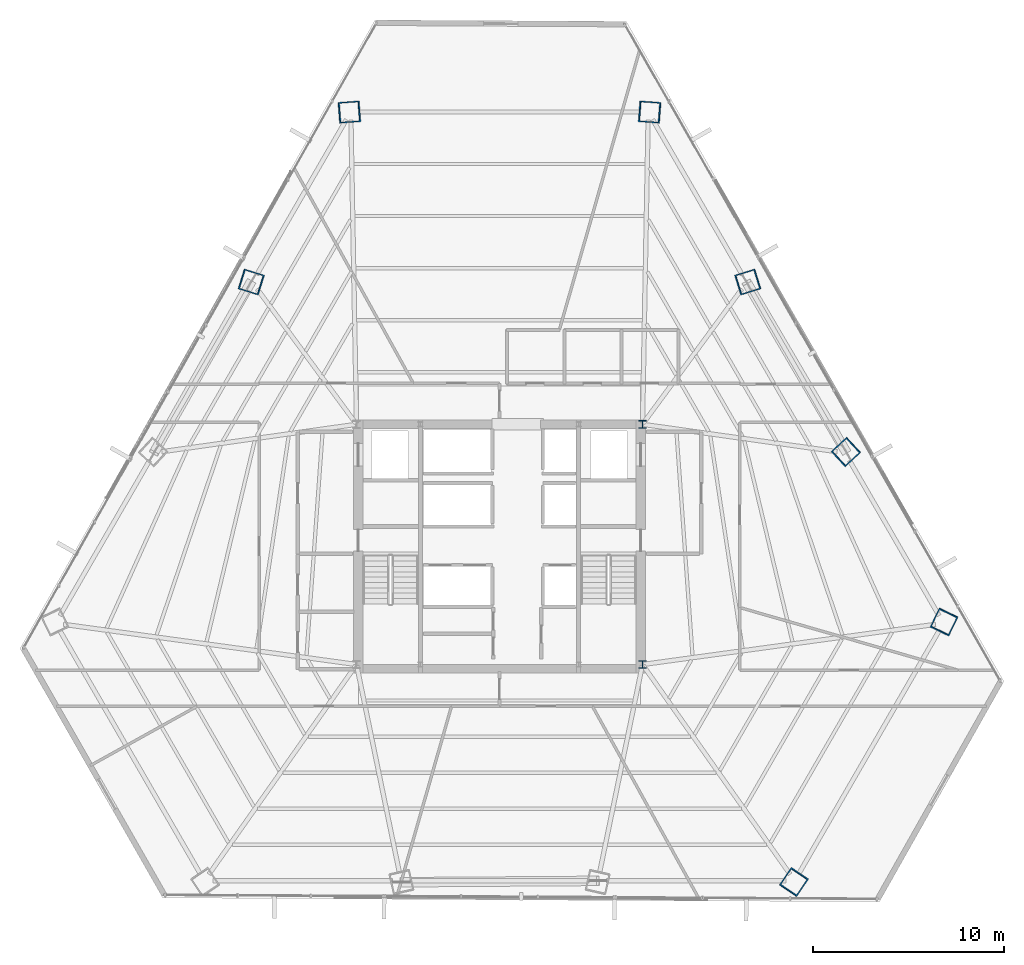
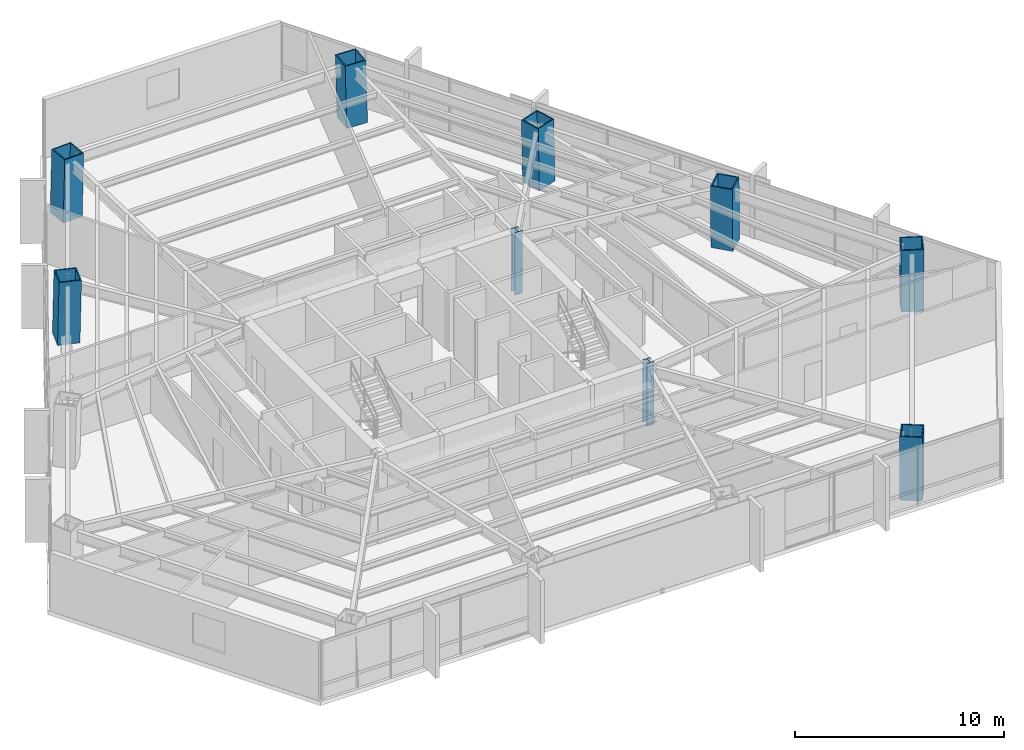
# One storey, part 3 of 35: 9 columns.
"""IFC4 building model written with IfcOpenShell, lengths in metres."""

from ifc_helpers import new_model, si_unit, direction, frame, origin, origin_2d, place, context, subcontext, project, spatial, hollow_rectangle, i_section, extrude, source, transform, mapped, material, material_profile, profile_set, type_object, type_shapes, element, save


model = new_model("IFC4")

# Units and contexts
model_context = context("Model", 3, precision=1e-05, world=origin(), true_north=direction((0.0, 1.0)))
body_context = subcontext(model_context, "Body", "Model", "MODEL_VIEW")
ifc_project = project(units=[si_unit("LENGTHUNIT", "METRE"), si_unit("AREAUNIT", "SQUARE_METRE"), si_unit("VOLUMEUNIT", "CUBIC_METRE"), si_unit("PLANEANGLEUNIT", "RADIAN"), si_unit("MASSUNIT", "GRAM", prefix="KILO")], contexts=[model_context])

# Site, building, storey
site_placement = place(None, origin())
site = spatial("IfcSite", under=ifc_project, at=site_placement, CompositionType="ELEMENT")
building_placement = place(site_placement, origin())
building = spatial("IfcBuilding", under=site, at=building_placement, Name="Caelisora Broadcast Tower", CompositionType="ELEMENT")
storey_placement = place(building_placement, frame((0.0, 0.0, 87.14990234375)))
storey = spatial("IfcBuildingStorey", under=building, at=storey_placement, Name="L22", CompositionType="ELEMENT", Elevation=87.14990234375)

# Columns
ifc_material_1 = material(Name="Steel Grade 350 L15 (AS/NZS 3678)", Category="steel")
ifc_material_profile_1 = material_profile(ifc_material_1, hollow_rectangle(XDim=1.10009765625, YDim=1.10009765625, WallThickness=0.06005859375, at=origin_2d()), Name="Steel Grade 350 L15 (AS/NZS 3678)")
ifc_profile_set_1 = profile_set([ifc_material_profile_1], Name="Steel Grade 350 L15 (AS/NZS 3678)")
column_type_1 = type_object("IfcColumnType", Name="MC03", PredefinedType="COLUMN", material=ifc_profile_set_1)
shared_shape_1 = source(origin(), body_context, "Body", "SweptSolid", [
    extrude(hollow_rectangle(XDim=1.10009765625, YDim=1.10009765625, WallThickness=0.06005859375, at=origin_2d()), origin(), (0.0, 0.0, 1.0), 3.65087890625),
])
for number, where, z_axis, x_axis, name in (
    (1, (24.96630859375, 37.4658203125, 0.0), (0.01939269685, -0.00601842316, 0.999793829693), (0.296399214872, 0.955064136811, 0.0), "L22 column MC03"),
    (2, (56.1787109375, 28.5546875, 0.0), (-0.014912316331, -0.013775502979, 0.999793907933), (0.678553674548, -0.734550822447, 0.0), "L22 column MC03"),
    (3, (51.03369140625, 37.4658203125, 0.0), (-0.01939269685, -0.00601842316, 0.999793829693), (0.296399214872, -0.955064136811, 0.0), "L22 column MC03"),
):
    element("IfcColumn", number, at=place(storey_placement, frame(where, z_axis=z_axis, x_axis=x_axis)), inside=storey, type_object=column_type_1, Name=name, PredefinedType="COLUMN", context=body_context, shape_type="MappedRepresentation", body=[
        mapped(shared_shape_1, transform((0.0, 0.0, 0.0), scale=1.0)),
    ])
ifc_material_2 = material(Name="Steel Grade 350 (AS/NZS 3679.2)", Category="steel")
ifc_material_profile_2 = material_profile(ifc_material_2, i_section(OverallWidth=0.39990234375, OverallDepth=0.39990234375, WebThickness=0.02001953125, FlangeThickness=0.031982421875, at=origin_2d()), Name="Steel Grade 350 (AS/NZS 3679.2)")
ifc_profile_set_2 = profile_set([ifc_material_profile_2], Name="Steel Grade 350 (AS/NZS 3679.2)")
column_type_2 = type_object("IfcColumnType", Name="CC02", PredefinedType="COLUMN", material=ifc_profile_set_2)
shared_shape_2 = source(origin(), body_context, "Body", "SweptSolid", [
    extrude(i_section(OverallWidth=0.39990234375, OverallDepth=0.39990234375, WebThickness=0.02001953125, FlangeThickness=0.031982421875, at=origin_2d()), origin(), (0.0, 0.0, 1.0), 3.650146484375),
])
type_shapes(column_type_2, [shared_shape_2])
for number, where, z_axis, x_axis, name in (
    (4, (45.5, 17.39990234375, 0.0), (0.0, 0.0, 1.0), (1.0, 0.0, 0.0), "L22 column CC02"),
    (5, (45.5, 30.0, 0.0), (0.0, 0.0, 1.0), (1.0, 0.0, 0.0), "L22 column CC02"),
):
    element("IfcColumn", number, at=place(storey_placement, frame(where, z_axis=z_axis, x_axis=x_axis)), inside=storey, type_object=column_type_2, Name=name, PredefinedType="COLUMN", context=body_context, shape_type="MappedRepresentation", body=[
        mapped(shared_shape_2, transform((0.0, 0.0, 0.0), scale=1.0)),
    ])
shared_shape_3 = source(origin(), body_context, "Body", "SweptSolid", [
    extrude(hollow_rectangle(XDim=1.10009765625, YDim=1.10009765625, WallThickness=0.06005859375, at=origin_2d()), origin(), (0.0, 0.0, 1.0), 3.651123046875),
])
type_shapes(column_type_1, [shared_shape_1, shared_shape_3])
for number, where, z_axis, x_axis, name in (
    (6, (45.888916015625, 46.376708984375, 0.0), (-0.02387115835, 0.001805381724, 0.999713413132), (-0.075414875552, -0.997152243414, 0.0), "L22 column MC03"),
    (7, (30.111083984375, 46.376708984375, 0.0), (0.02387115835, 0.001805381724, 0.999713413132), (-0.075414875552, 0.997152243414, 0.0), "L22 column MC03"),
    (8, (53.434326171875, 5.9794921875, 0.0), (0.013440068782, 0.019792340097, 0.999713772949), (-0.827290216258, 0.561774775229, 0.0), "L22 column MC03"),
    (9, (61.323486328125, 19.643798828125, 0.0), (-0.010431083049, -0.021597691184, 0.999712324742), (0.900476348161, -0.434904985489, 0.0), "L22 column MC03"),
):
    element("IfcColumn", number, at=place(storey_placement, frame(where, z_axis=z_axis, x_axis=x_axis)), inside=storey, type_object=column_type_1, Name=name, PredefinedType="COLUMN", context=body_context, shape_type="MappedRepresentation", body=[
        mapped(shared_shape_3, transform((0.0, 0.0, 0.0), scale=1.0)),
    ])

save(model, "model.ifc")
